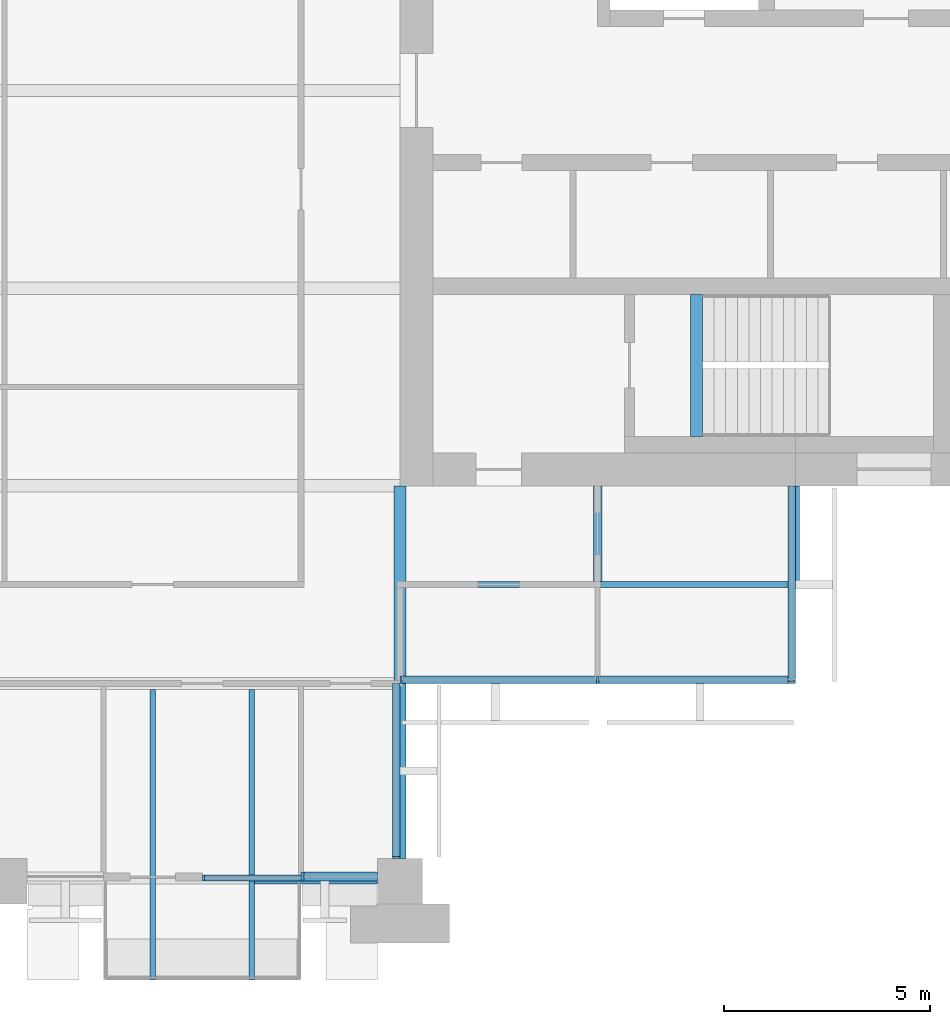
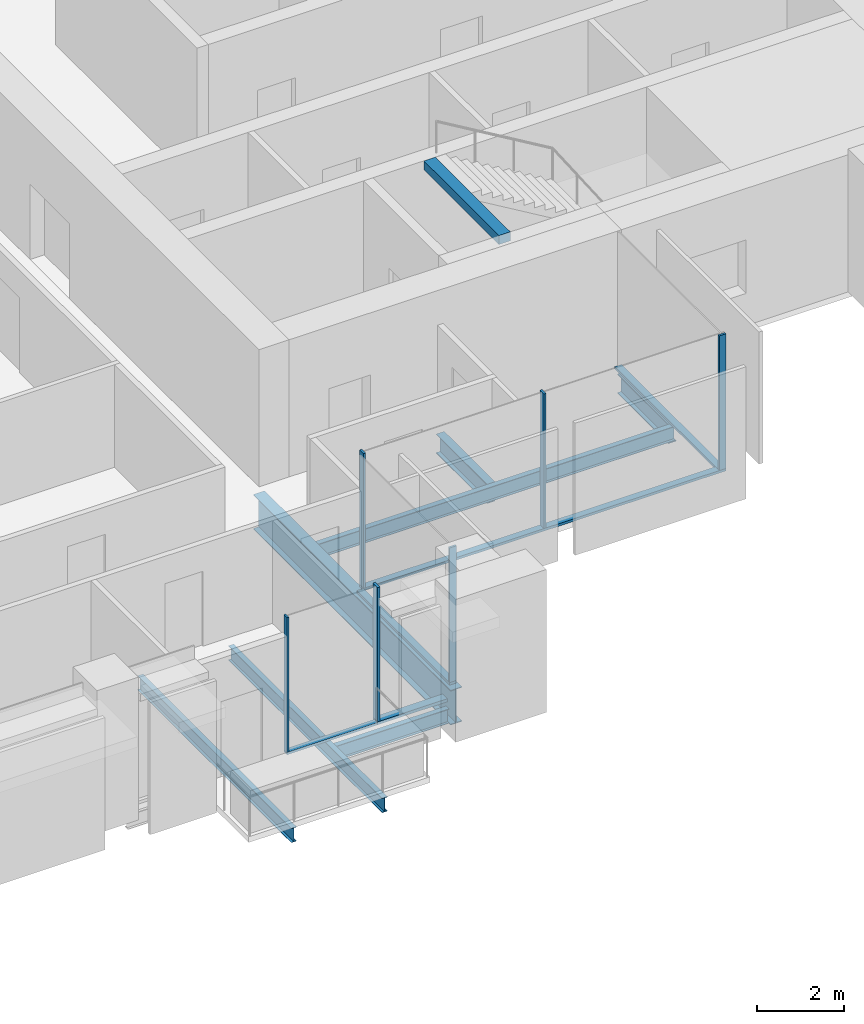
# One storey, part 4 of 14: 11 members, 8 beams, 5 elements without a shape of their own.
"""IFC4 building model written with IfcOpenShell, lengths in metres."""

from ifc_helpers import new_model, si_unit, direction, frame, origin, origin_2d, place, context, subcontext, project, spatial, rectangle, i_section, extrude, material, material_profile, profile_set, type_object, element, aggregate, save


model = new_model("IFC4")

# Units and contexts
model_context = context("Model", 3, precision=1e-05, world=origin(), true_north=direction((0.0, 1.0)))
body_context = subcontext(model_context, "Body", "Model", "MODEL_VIEW")
ifc_project = project(units=[si_unit("LENGTHUNIT", "METRE"), si_unit("AREAUNIT", "SQUARE_METRE"), si_unit("VOLUMEUNIT", "CUBIC_METRE"), si_unit("PLANEANGLEUNIT", "RADIAN"), si_unit("MASSUNIT", "GRAM", prefix="KILO")], contexts=[model_context])

# Site, building, storey
site_placement = place(None, origin())
site = spatial("IfcSite", under=ifc_project, at=site_placement, CompositionType="ELEMENT")
building_placement = place(site_placement, origin())
building = spatial("IfcBuilding", under=site, at=building_placement, Name="Baori Bourse Tower", CompositionType="ELEMENT")
storey_placement = place(building_placement, frame((0.0, 0.0, 197.199951171875)))
storey = spatial("IfcBuildingStorey", under=building, at=storey_placement, Name="L42", CompositionType="ELEMENT", Elevation=197.199951171875)

# Beams
ifc_material_1 = material(Name="Steel A992 Gr 50", Category="steel")
ifc_material_profile_1 = material_profile(ifc_material_1, i_section(OverallWidth=0.140380859375, OverallDepth=0.40380859375, WebThickness=0.007080078125, FlangeThickness=0.01123046875, at=origin_2d()), Name="W16x31")
ifc_profile_set_1 = profile_set([ifc_material_profile_1], Name="Steel A992 Gr 50")
beam_type_1 = type_object("IfcBeamType", Name="Balcony beam W16x31", PredefinedType="BEAM", material=ifc_profile_set_1)
for number, where, z_axis, x_axis, name in (
    (1, (32.39990234375, -2.39990234375, -0.36181640625), (0.0, 1.0, 0.0), (-1.0, 0.0, 0.0), "Balcony beam L42"),
    (2, (34.800048828125, -2.39990234375, -0.36181640625), (0.0, 1.0, 0.0), (-1.0, 0.0, 0.0), "Balcony beam L42"),
):
    element("IfcBeam", number, at=place(storey_placement, frame(where, z_axis=z_axis, x_axis=x_axis)), inside=storey, type_object=beam_type_1, Name=name, PredefinedType="BEAM", context=body_context, shape_type="SweptSolid", body=[
        extrude(i_section(OverallWidth=0.140380859375, OverallDepth=0.40380859375, WebThickness=0.007080078125, FlangeThickness=0.01123046875, at=origin_2d()), origin(), (0.0, 0.0, 1.0), 7.050048828125),
    ])

# Curtain wall, member
ifc_material_2 = material(Name="Pale anodised aluminium", Category="aluminium")
curtain_wall_type_1 = type_object("IfcCurtainWallType", Name="CW2 Curtain wall", PredefinedType="NOTDEFINED", material=ifc_material_2)
curtain_wall_1_placement = place(storey_placement, origin())
curtain_wall_1 = element("IfcCurtainWall", 3, at=curtain_wall_1_placement, inside=storey, type_object=curtain_wall_type_1, Name="Curtain wall CW2 L42 16", PredefinedType="NOTDEFINED")
ifc_material_3 = material(Name="Pale anodised aluminium", Category="aluminium")
ifc_material_profile_2 = material_profile(ifc_material_3, rectangle(XDim=0.179931640625, YDim=0.054931640625, at=origin_2d()), Name="Mullion 55x180")
ifc_profile_set_2 = profile_set([ifc_material_profile_2], Name="Pale anodised aluminium")
member_type_1 = type_object("IfcMemberType", Name="CW2 Curtain wall mullion", PredefinedType="MULLION", material=ifc_profile_set_2)
member_1_placement = place(storey_placement, frame((38.31005859375, 0.577392578125, 0.070068359375), z_axis=(0.0, 0.0, 1.0), x_axis=(-1.0, 0.0, 0.0)))
member_1 = element("IfcMember", 4, at=member_1_placement, type_object=member_type_1, Name="Curtain wall CW2 mullion", PredefinedType="MULLION", context=body_context, shape_type="SweptSolid", body=[
    extrude(rectangle(XDim=0.179931640625, YDim=0.054931640625, at=origin_2d()), origin(), (0.0, 0.0, 1.0), 3.77001953125),
])

# Curtain wall, members
curtain_wall_2_placement = place(storey_placement, origin())
curtain_wall_2 = element("IfcCurtainWall", 5, at=curtain_wall_2_placement, inside=storey, type_object=curtain_wall_type_1, Name="Curtain wall CW2 L42 17", PredefinedType="NOTDEFINED")
member_2_placement = place(storey_placement, frame((38.427490234375, 4.889892578125, 0.070068359375), z_axis=(0.0, 0.0, 1.0), x_axis=(0.0, 1.0, 0.0)))
member_2 = element("IfcMember", 6, at=member_2_placement, type_object=member_type_1, Name="Curtain wall CW2 mullion", PredefinedType="MULLION", context=body_context, shape_type="SweptSolid", body=[
    extrude(rectangle(XDim=0.179931640625, YDim=0.054931640625, at=origin_2d()), origin(), (0.0, 0.0, 1.0), 3.77001953125),
])
member_3_placement = place(storey_placement, frame((43.199951171875, 4.889892578125, 0.070068359375), z_axis=(0.0, 0.0, 1.0), x_axis=(0.0, 1.0, 0.0)))
member_3 = element("IfcMember", 7, at=member_3_placement, type_object=member_type_1, Name="Curtain wall CW2 mullion", PredefinedType="MULLION", context=body_context, shape_type="SweptSolid", body=[
    extrude(rectangle(XDim=0.179931640625, YDim=0.054931640625, at=origin_2d()), origin(), (0.0, 0.0, 1.0), 3.77001953125),
])

# Curtain wall, member
curtain_wall_3_placement = place(storey_placement, origin())
curtain_wall_3 = element("IfcCurtainWall", 8, at=curtain_wall_3_placement, inside=storey, type_object=curtain_wall_type_1, Name="Curtain wall CW2 L42 18", PredefinedType="NOTDEFINED")
member_4_placement = place(storey_placement, frame((47.909912109375, 4.827392578125, 0.070068359375), z_axis=(0.0, 0.0, 1.0), x_axis=(-1.0, 0.0, 0.0)))
member_4 = element("IfcMember", 9, at=member_4_placement, type_object=member_type_1, Name="Curtain wall CW2 mullion", PredefinedType="MULLION", context=body_context, shape_type="SweptSolid", body=[
    extrude(rectangle(XDim=0.179931640625, YDim=0.054931640625, at=origin_2d()), origin(), (0.0, 0.0, 1.0), 3.77001953125),
])

# Member
ifc_material_4 = material(Name="Pale anodised aluminium", Category="aluminium")
ifc_material_profile_3 = material_profile(ifc_material_4, rectangle(XDim=0.179931640625, YDim=0.070068359375, at=origin_2d()), Name="Transom 70x180")
ifc_profile_set_3 = profile_set([ifc_material_profile_3], Name="Pale anodised aluminium")
member_type_2 = type_object("IfcMemberType", Name="CW2 Curtain wall transom", PredefinedType="USERDEFINED", material=ifc_profile_set_3)
member_5_placement = place(storey_placement, frame((38.31005859375, 0.550048828125, 0.03515625), z_axis=(0.0, 1.0, 0.0), x_axis=(-1.0, 0.0, 0.0)))
member_5 = element("IfcMember", 10, at=member_5_placement, type_object=member_type_2, Name="Curtain wall CW2 sill rail", ObjectType="TRANSOM", PredefinedType="USERDEFINED", context=body_context, shape_type="SweptSolid", body=[
    extrude(rectangle(XDim=0.179931640625, YDim=0.070068359375, at=origin_2d()), origin(), (0.0, 0.0, 1.0), 4.25),
])

aggregate(curtain_wall_1, [member_5, member_1])

member_6_placement = place(storey_placement, frame((38.39990234375, 4.889892578125, 0.03515625), z_axis=(1.0, 0.0, 0.0), x_axis=(0.0, 1.0, 0.0)))
member_6 = element("IfcMember", 11, at=member_6_placement, type_object=member_type_2, Name="Curtain wall CW2 sill rail", ObjectType="TRANSOM", PredefinedType="USERDEFINED", context=body_context, shape_type="SweptSolid", body=[
    extrude(rectangle(XDim=0.179931640625, YDim=0.070068359375, at=origin_2d()), origin(), (0.0, 0.0, 1.0), 9.60009765625),
])

aggregate(curtain_wall_2, [member_6, member_2, member_3])

member_7_placement = place(storey_placement, frame((47.909912109375, 4.800048828125, 0.03515625), z_axis=(0.0, 1.0, 0.0), x_axis=(-1.0, 0.0, 0.0)))
member_7 = element("IfcMember", 12, at=member_7_placement, type_object=member_type_2, Name="Curtain wall CW2 sill rail", ObjectType="TRANSOM", PredefinedType="USERDEFINED", context=body_context, shape_type="SweptSolid", body=[
    extrude(rectangle(XDim=0.179931640625, YDim=0.070068359375, at=origin_2d()), origin(), (0.0, 0.0, 1.0), 4.800048828125),
])

aggregate(curtain_wall_3, [member_7, member_4])

# Curtain wall, members
ifc_material_5 = material(Name="Pale anodised aluminium", Category="aluminium")
curtain_wall_type_2 = type_object("IfcCurtainWallType", Name="CW5 Curtain wall", PredefinedType="NOTDEFINED", material=ifc_material_5)
curtain_wall_4_placement = place(storey_placement, origin())
curtain_wall_4 = element("IfcCurtainWall", 13, at=curtain_wall_4_placement, inside=storey, type_object=curtain_wall_type_2, Name="Curtain wall CW5 L42 15", PredefinedType="NOTDEFINED")
ifc_material_6 = material(Name="Pale anodised aluminium", Category="aluminium")
ifc_material_profile_4 = material_profile(ifc_material_6, rectangle(XDim=0.219970703125, YDim=0.06494140625, at=origin_2d()), Name="Mullion 65x220")
ifc_profile_set_4 = profile_set([ifc_material_profile_4], Name="Pale anodised aluminium")
member_type_3 = type_object("IfcMemberType", Name="CW5 Curtain wall mullion", PredefinedType="MULLION", material=ifc_profile_set_4)
member_8_placement = place(storey_placement, frame((36.032470703125, 0.110107421875, 0.0849609375), z_axis=(0.0, 0.0, 1.0), x_axis=(0.0, 1.0, 0.0)))
member_8 = element("IfcMember", 14, at=member_8_placement, type_object=member_type_3, Name="Curtain wall CW5 mullion", PredefinedType="MULLION", context=body_context, shape_type="SweptSolid", body=[
    extrude(rectangle(XDim=0.219970703125, YDim=0.06494140625, at=origin_2d()), origin(), (0.0, 0.0, 1.0), 3.755126953125),
])
ifc_material_7 = material(Name="Pale anodised aluminium", Category="aluminium")
ifc_material_profile_5 = material_profile(ifc_material_7, rectangle(XDim=0.219970703125, YDim=0.0849609375, at=origin_2d()), Name="Transom 85x220")
ifc_profile_set_5 = profile_set([ifc_material_profile_5], Name="Pale anodised aluminium")
member_type_4 = type_object("IfcMemberType", Name="CW5 Curtain wall transom", PredefinedType="USERDEFINED", material=ifc_profile_set_5)
member_9_placement = place(storey_placement, frame((36.0, 0.110107421875, 0.04248046875), z_axis=(1.0, 0.0, 0.0), x_axis=(0.0, 1.0, 0.0)))
member_9 = element("IfcMember", 15, at=member_9_placement, type_object=member_type_4, Name="Curtain wall CW5 sill rail", ObjectType="TRANSOM", PredefinedType="USERDEFINED", context=body_context, shape_type="SweptSolid", body=[
    extrude(rectangle(XDim=0.219970703125, YDim=0.0849609375, at=origin_2d()), origin(), (0.0, 0.0, 1.0), 1.85009765625),
])
aggregate(curtain_wall_4, [member_9, member_8])

ifc_material_8 = material(Name="Pale anodised aluminium", Category="aluminium")
curtain_wall_type_3 = type_object("IfcCurtainWallType", Name="CW6 Curtain wall", PredefinedType="NOTDEFINED", material=ifc_material_8)
curtain_wall_5_placement = place(storey_placement, origin())
curtain_wall_5 = element("IfcCurtainWall", 16, at=curtain_wall_5_placement, inside=storey, type_object=curtain_wall_type_3, Name="Curtain wall CW6 L42 14", PredefinedType="NOTDEFINED")
ifc_material_9 = material(Name="Pale anodised aluminium", Category="aluminium")
ifc_material_profile_6 = material_profile(ifc_material_9, rectangle(XDim=0.14990234375, YDim=0.050048828125, at=origin_2d()), Name="Mullion 50x150")
ifc_profile_set_6 = profile_set([ifc_material_profile_6], Name="Pale anodised aluminium")
member_type_5 = type_object("IfcMemberType", Name="CW6 Curtain wall mullion", PredefinedType="MULLION", material=ifc_profile_set_6)
member_10_placement = place(storey_placement, frame((33.625, 0.074951171875, 0.06494140625), z_axis=(0.0, 0.0, 1.0), x_axis=(0.0, 1.0, 0.0)))
member_10 = element("IfcMember", 17, at=member_10_placement, type_object=member_type_5, Name="Curtain wall CW6 mullion", PredefinedType="MULLION", context=body_context, shape_type="SweptSolid", body=[
    extrude(rectangle(XDim=0.14990234375, YDim=0.050048828125, at=origin_2d()), origin(), (0.0, 0.0, 1.0), 3.775146484375),
])
ifc_material_10 = material(Name="Pale anodised aluminium", Category="aluminium")
ifc_material_profile_7 = material_profile(ifc_material_10, rectangle(XDim=0.14990234375, YDim=0.06494140625, at=origin_2d()), Name="Transom 65x150")
ifc_profile_set_7 = profile_set([ifc_material_profile_7], Name="Pale anodised aluminium")
member_type_6 = type_object("IfcMemberType", Name="CW6 Curtain wall transom", PredefinedType="USERDEFINED", material=ifc_profile_set_7)
member_11_placement = place(storey_placement, frame((33.60009765625, 0.074951171875, 0.032470703125), z_axis=(1.0, 0.0, 0.0), x_axis=(0.0, 1.0, 0.0)))
member_11 = element("IfcMember", 18, at=member_11_placement, type_object=member_type_6, Name="Curtain wall CW6 sill rail", ObjectType="TRANSOM", PredefinedType="USERDEFINED", context=body_context, shape_type="SweptSolid", body=[
    extrude(rectangle(XDim=0.14990234375, YDim=0.06494140625, at=origin_2d()), origin(), (0.0, 0.0, 1.0), 2.39990234375),
])
aggregate(curtain_wall_5, [member_11, member_10])

# Beams
ifc_material_11 = material(Name="Steel A992 Gr 50", Category="steel")
ifc_material_profile_8 = material_profile(ifc_material_11, i_section(OverallWidth=0.21240234375, OverallDepth=0.54345703125, WebThickness=0.01318359375, FlangeThickness=0.021240234375, at=origin_2d()), Name="W21x83")
ifc_profile_set_8 = profile_set([ifc_material_profile_8], Name="Steel A992 Gr 50")
beam_type_2 = type_object("IfcBeamType", Name="Core bracket W21x83", PredefinedType="BEAM", material=ifc_profile_set_8)
for number, where, z_axis, x_axis, name in (
    (19, (43.199951171875, 7.270263671875, -0.431640625), (0.0, 1.0, 0.0), (-1.0, 0.0, 0.0), "Core bracket L42"),
    (20, (48.0, 7.270263671875, -0.431640625), (0.0, 1.0, 0.0), (-1.0, 0.0, 0.0), "Core bracket L42"),
):
    element("IfcBeam", number, at=place(storey_placement, frame(where, z_axis=z_axis, x_axis=x_axis)), inside=storey, type_object=beam_type_2, Name=name, PredefinedType="BEAM", context=body_context, shape_type="SweptSolid", body=[
        extrude(i_section(OverallWidth=0.21240234375, OverallDepth=0.54345703125, WebThickness=0.01318359375, FlangeThickness=0.021240234375, at=origin_2d()), origin(), (0.0, 0.0, 1.0), 2.329833984375),
    ])
ifc_material_12 = material(Name="Steel A992 Gr 50", Category="steel")
ifc_material_profile_9 = material_profile(ifc_material_12, i_section(OverallWidth=0.140380859375, OverallDepth=0.40380859375, WebThickness=0.007080078125, FlangeThickness=0.01123046875, at=origin_2d()), Name="W16x31")
ifc_profile_set_9 = profile_set([ifc_material_profile_9], Name="Steel A992 Gr 50")
beam_type_3 = type_object("IfcBeamType", Name="Edge beam W16x31", PredefinedType="BEAM", material=ifc_profile_set_9)
beam_1_placement = place(storey_placement, frame((34.8701171875, 0.0, -0.36181640625), z_axis=(1.0, 0.0, 0.0), x_axis=(0.0, 1.0, 0.0)))
element("IfcBeam", 21, at=beam_1_placement, inside=storey, type_object=beam_type_3, Name="Edge beam L42", PredefinedType="BEAM", context=body_context, shape_type="SweptSolid", body=[
    extrude(i_section(OverallWidth=0.140380859375, OverallDepth=0.40380859375, WebThickness=0.007080078125, FlangeThickness=0.01123046875, at=origin_2d()), origin(), (0.0, 0.0, 1.0), 2.97998046875),
])
ifc_material_13 = material(Name="Steel A992 Gr 50", Category="steel")
ifc_material_profile_10 = material_profile(ifc_material_13, i_section(OverallWidth=0.2998046875, OverallDepth=0.97021484375, WebThickness=0.01611328125, FlangeThickness=0.02099609375, at=origin_2d()), Name="W40x149")
ifc_profile_set_10 = profile_set([ifc_material_profile_10], Name="Steel A992 Gr 50")
beam_type_4 = type_object("IfcBeamType", Name="Girder W40x149", PredefinedType="BEAM", material=ifc_profile_set_10)
beam_2_placement = place(storey_placement, frame((38.39990234375, 0.550048828125, -0.64501953125), z_axis=(0.0, 1.0, 0.0), x_axis=(-1.0, 0.0, 0.0)))
element("IfcBeam", 22, at=beam_2_placement, inside=storey, type_object=beam_type_4, Name="Girder L42", PredefinedType="BEAM", context=body_context, shape_type="SweptSolid", body=[
    extrude(i_section(OverallWidth=0.2998046875, OverallDepth=0.97021484375, WebThickness=0.01611328125, FlangeThickness=0.02099609375, at=origin_2d()), origin(), (0.0, 0.0, 1.0), 9.050048828125),
])
ifc_material_14 = material(Name="Concrete f'c 50 MPa", Category="concrete")
ifc_material_profile_11 = material_profile(ifc_material_14, rectangle(XDim=0.300048828125, YDim=0.25, at=origin_2d()), Name="RC 300x250")
ifc_profile_set_11 = profile_set([ifc_material_profile_11], Name="Concrete f'c 50 MPa")
beam_type_5 = type_object("IfcBeamType", Name="Stair nib beam RC 300x250", PredefinedType="BEAM", material=ifc_profile_set_11)
beam_3_placement = place(storey_placement, frame((45.60009765625, 10.800048828125, 3.715087890625), z_axis=(0.0, 1.0, 0.0), x_axis=(-1.0, 0.0, 0.0)))
element("IfcBeam", 23, at=beam_3_placement, inside=storey, type_object=beam_type_5, Name="Stair EA nib beam L43", PredefinedType="BEAM", context=body_context, shape_type="SweptSolid", body=[
    extrude(rectangle(XDim=0.300048828125, YDim=0.25, at=origin_2d()), origin(), (0.0, 0.0, 1.0), 3.449951171875),
])
ifc_material_15 = material(Name="Steel A992 Gr 50", Category="steel")
ifc_material_profile_12 = material_profile(ifc_material_15, i_section(OverallWidth=0.140380859375, OverallDepth=0.40380859375, WebThickness=0.007080078125, FlangeThickness=0.01123046875, at=origin_2d()), Name="W16x31")
ifc_profile_set_12 = profile_set([ifc_material_profile_12], Name="Steel A992 Gr 50")
beam_type_6 = type_object("IfcBeamType", Name="Trimmer beam W16x31", PredefinedType="BEAM", material=ifc_profile_set_12)
beam_4_placement = place(storey_placement, frame((38.5498046875, 7.199951171875, -0.36181640625), z_axis=(1.0, 0.0, 0.0), x_axis=(0.0, 1.0, 0.0)))
element("IfcBeam", 24, at=beam_4_placement, inside=storey, type_object=beam_type_6, Name="Trimmer beam L42", PredefinedType="BEAM", context=body_context, shape_type="SweptSolid", body=[
    extrude(i_section(OverallWidth=0.140380859375, OverallDepth=0.40380859375, WebThickness=0.007080078125, FlangeThickness=0.01123046875, at=origin_2d()), origin(), (0.0, 0.0, 1.0), 9.4501953125),
])

save(model, "model.ifc")
